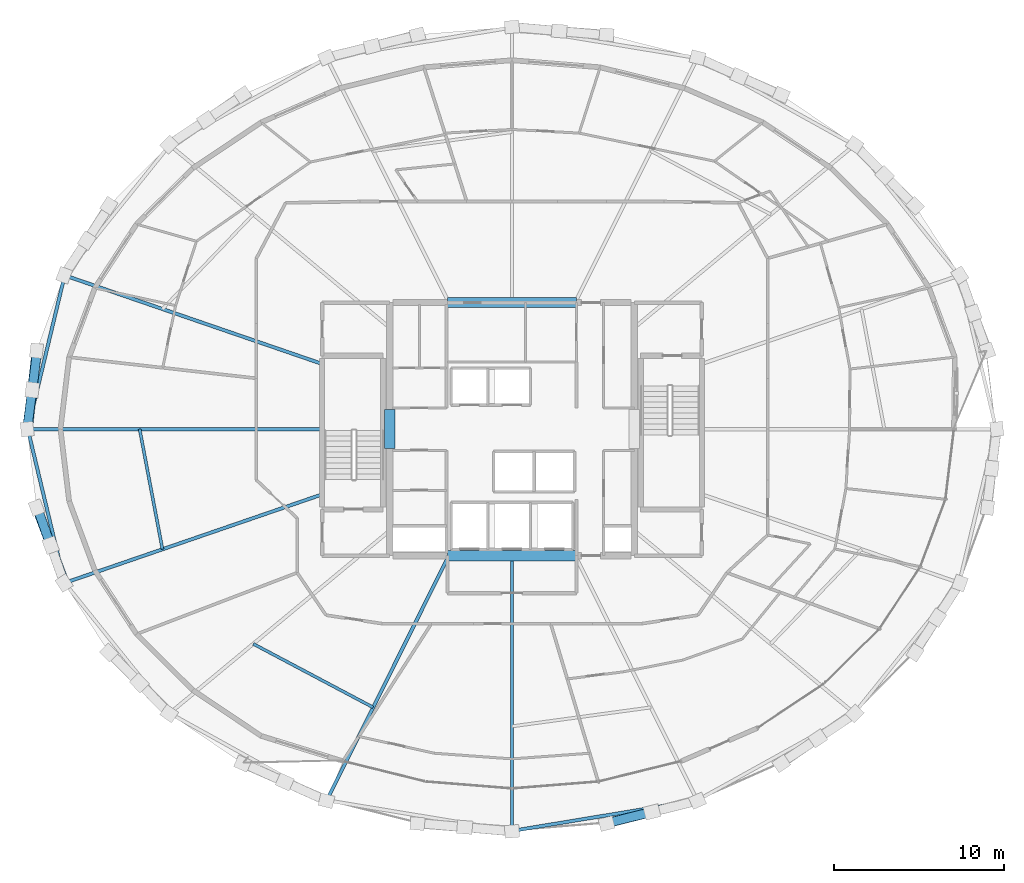
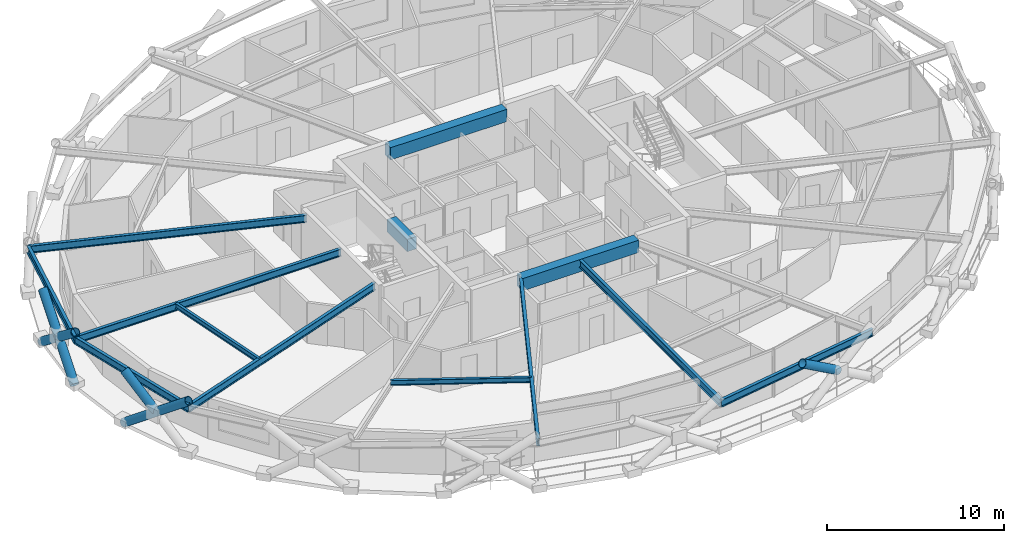
# One storey, part 3 of 20: 13 beams, 6 members.
"""IFC4 building model written with IfcOpenShell, lengths in metres."""

from ifc_helpers import new_model, si_unit, direction, frame, origin, origin_2d, place, context, subcontext, project, spatial, rectangle, hollow_circle, i_section, extrude, material, material_profile, profile_set, type_object, element, save


model = new_model("IFC4")

# Units and contexts
model_context = context("Model", 3, precision=1e-05, world=origin(), true_north=direction((0.0, 1.0)))
body_context = subcontext(model_context, "Body", "Model", "MODEL_VIEW")
ifc_project = project(units=[si_unit("LENGTHUNIT", "METRE"), si_unit("AREAUNIT", "SQUARE_METRE"), si_unit("VOLUMEUNIT", "CUBIC_METRE"), si_unit("PLANEANGLEUNIT", "RADIAN"), si_unit("MASSUNIT", "GRAM", prefix="KILO")], contexts=[model_context])

# Site, building, storey
site_placement = place(None, origin())
site = spatial("IfcSite", under=ifc_project, at=site_placement, CompositionType="ELEMENT")
building_placement = place(site_placement, origin())
building = spatial("IfcBuilding", under=site, at=building_placement, Name="Veldorina Hangang Commons", CompositionType="ELEMENT")
storey_placement = place(building_placement, frame((0.0, 0.0, 131.60009765625)))
storey = spatial("IfcBuildingStorey", under=building, at=storey_placement, Name="L33", CompositionType="ELEMENT", Elevation=131.60009765625)

# Beams
ifc_material_1 = material(Name="Concrete C60/75", Category="concrete")
ifc_material_profile_1 = material_profile(ifc_material_1, rectangle(XDim=0.60009765625, YDim=0.85009765625, at=origin_2d()), Name="RC-CB-600x850")
ifc_profile_set_1 = profile_set([ifc_material_profile_1], Name="Concrete C60/75")
beam_type_1 = type_object("IfcBeamType", Name="BM-CB850", PredefinedType="LINTEL", material=ifc_profile_set_1)
beam_1_placement = place(storey_placement, frame((24.800048828125, 22.85009765625, 2.9248046875), z_axis=(0.0, 1.0, 0.0), x_axis=(-1.0, 0.0, 0.0)))
element("IfcBeam", 1, at=beam_1_placement, inside=storey, type_object=beam_type_1, Name="L33 W core coupling lintel beam", PredefinedType="LINTEL", context=body_context, shape_type="SweptSolid", body=[
    extrude(rectangle(XDim=0.60009765625, YDim=0.85009765625, at=origin_2d()), origin(), (0.0, 0.0, 1.0), 2.2998046875),
])
for number, where, z_axis, x_axis, name in (
    (2, (28.199951171875, 16.550048828125, 2.9248046875), (1.0, 0.0, 0.0), (0.0, 1.0, 0.0), "L33 south core coupling beam"),
    (3, (28.199951171875, 31.449951171875, 2.9248046875), (1.0, 0.0, 0.0), (0.0, 1.0, 0.0), "L33 north core coupling beam"),
):
    element("IfcBeam", number, at=place(storey_placement, frame(where, z_axis=z_axis, x_axis=x_axis)), inside=storey, type_object=beam_type_1, Name=name, PredefinedType="LINTEL", context=body_context, shape_type="SweptSolid", body=[
        extrude(rectangle(XDim=0.60009765625, YDim=0.85009765625, at=origin_2d()), origin(), (0.0, 0.0, 1.0), 7.60009765625),
    ])
ifc_material_2 = material(Name="Steel SM420-TMC", Category="steel")
ifc_material_profile_2 = material_profile(ifc_material_2, i_section(OverallWidth=0.199951171875, OverallDepth=0.5, WebThickness=0.010009765625, FlangeThickness=0.01611328125, FilletRadius=0.01611328125, at=origin_2d()), Name="H-500x200x10x16")
ifc_profile_set_2 = profile_set([ifc_material_profile_2], Name="Steel SM420-TMC")
beam_type_2 = type_object("IfcBeamType", Name="BM-FG500", PredefinedType="BEAM", material=ifc_profile_set_2)
beam_2_placement = place(storey_placement, frame((20.820068359375, 27.8427734375, 3.099853515625), z_axis=(-0.945697720509, 0.325047414116, 0.0), x_axis=(-0.325047414116, -0.945697720509, 0.0)))
element("IfcBeam", 4, at=beam_2_placement, inside=storey, type_object=beam_type_2, Name="L33 radial floor girder 08", PredefinedType="BEAM", context=body_context, shape_type="SweptSolid", body=[
    extrude(i_section(OverallWidth=0.199951171875, OverallDepth=0.5, WebThickness=0.010009765625, FlangeThickness=0.01611328125, FilletRadius=0.01611328125, at=origin_2d()), origin(), (0.0, 0.0, 1.0), 16.027587890625),
])
beam_3_placement = place(storey_placement, frame((20.820068359375, 24.0, 3.099853515625), z_axis=(-1.0, 0.0, 0.0), x_axis=(0.0, -1.0, 0.0)))
element("IfcBeam", 5, at=beam_3_placement, inside=storey, type_object=beam_type_2, Name="L33 radial floor girder 09", PredefinedType="BEAM", context=body_context, shape_type="SweptSolid", body=[
    extrude(i_section(OverallWidth=0.199951171875, OverallDepth=0.5, WebThickness=0.010009765625, FlangeThickness=0.01611328125, FilletRadius=0.01611328125, at=origin_2d()), origin(), (0.0, 0.0, 1.0), 17.3271484375),
])
beam_4_placement = place(storey_placement, frame((20.820068359375, 20.1572265625, 3.099853515625), z_axis=(-0.945697720509, -0.325047414116, 0.0), x_axis=(0.325047414116, -0.945697720509, 0.0)))
element("IfcBeam", 6, at=beam_4_placement, inside=storey, type_object=beam_type_2, Name="L33 radial floor girder 10", PredefinedType="BEAM", context=body_context, shape_type="SweptSolid", body=[
    extrude(i_section(OverallWidth=0.199951171875, OverallDepth=0.5, WebThickness=0.010009765625, FlangeThickness=0.01611328125, FilletRadius=0.01611328125, at=origin_2d()), origin(), (0.0, 0.0, 1.0), 16.027587890625),
])
beam_5_placement = place(storey_placement, frame((28.281005859375, 16.550048828125, 3.099853515625), z_axis=(-0.446612976084, -0.894727248715, 0.0), x_axis=(0.894727248715, -0.446612976084, 0.0)))
element("IfcBeam", 7, at=beam_5_placement, inside=storey, type_object=beam_type_2, Name="L33 radial floor girder 12", PredefinedType="BEAM", context=body_context, shape_type="SweptSolid", body=[
    extrude(i_section(OverallWidth=0.199951171875, OverallDepth=0.5, WebThickness=0.010009765625, FlangeThickness=0.01611328125, FilletRadius=0.01611328125, at=origin_2d()), origin(), (0.0, 0.0, 1.0), 16.099365234375),
])
beam_6_placement = place(storey_placement, frame((32.0, 16.550048828125, 3.099853515625), z_axis=(0.0, -1.0, 0.0), x_axis=(1.0, 0.0, 0.0)))
element("IfcBeam", 8, at=beam_6_placement, inside=storey, type_object=beam_type_2, Name="L33 radial floor girder 13", PredefinedType="BEAM", context=body_context, shape_type="SweptSolid", body=[
    extrude(i_section(OverallWidth=0.199951171875, OverallDepth=0.5, WebThickness=0.010009765625, FlangeThickness=0.01611328125, FilletRadius=0.01611328125, at=origin_2d()), origin(), (0.0, 0.0, 1.0), 16.205078125),
])
ifc_material_3 = material(Name="Steel SM355-TMC", Category="steel")
ifc_material_profile_3 = material_profile(ifc_material_3, i_section(OverallWidth=0.175048828125, OverallDepth=0.35009765625, WebThickness=0.007080078125, FlangeThickness=0.010986328125, FilletRadius=0.012939453125, at=origin_2d()), Name="H-350x175x7x11")
ifc_profile_set_3 = profile_set([ifc_material_profile_3], Name="Steel SM355-TMC")
beam_type_3 = type_object("IfcBeamType", Name="BM-JST350", PredefinedType="JOIST", material=ifc_profile_set_3)
beam_7_placement = place(storey_placement, frame((10.0771484375, 24.0, 3.1748046875), z_axis=(0.186879924377, -0.98238276342, 0.0), x_axis=(0.98238276342, 0.186879924377, 0.0)))
element("IfcBeam", 9, at=beam_7_placement, inside=storey, type_object=beam_type_3, Name="L33 secondary floor joist 09", PredefinedType="JOIST", context=body_context, shape_type="SweptSolid", body=[
    extrude(i_section(OverallWidth=0.175048828125, OverallDepth=0.35009765625, WebThickness=0.007080078125, FlangeThickness=0.010986328125, FilletRadius=0.012939453125, at=origin_2d()), origin(), (0.0, 0.0, 1.0), 7.19970703125),
])
beam_8_placement = place(storey_placement, frame((16.76611328125, 11.359130859375, 3.1748046875), z_axis=(0.883593769179, -0.468254258996, 0.0), x_axis=(0.468254258996, 0.883593769179, 0.0)))
element("IfcBeam", 10, at=beam_8_placement, inside=storey, type_object=beam_type_3, Name="L33 secondary floor joist 11", PredefinedType="JOIST", context=body_context, shape_type="SweptSolid", body=[
    extrude(i_section(OverallWidth=0.175048828125, OverallDepth=0.35009765625, WebThickness=0.007080078125, FlangeThickness=0.010986328125, FilletRadius=0.012939453125, at=origin_2d()), origin(), (0.0, 0.0, 1.0), 7.986572265625),
])
ifc_material_profile_4 = material_profile(ifc_material_2, i_section(OverallWidth=0.199951171875, OverallDepth=0.5, WebThickness=0.010009765625, FlangeThickness=0.01611328125, FilletRadius=0.01611328125, at=origin_2d()), Name="H-500x200x10x16")
ifc_profile_set_4 = profile_set([ifc_material_profile_4], Name="Steel SM420-TMC")
beam_type_4 = type_object("IfcBeamType", Name="BM-RB500", PredefinedType="BEAM", material=ifc_profile_set_4)
for number, where, z_axis, x_axis, name in (
    (11, (5.662841796875, 33.052490234375, 3.099853515625), (-0.23310115585, -0.972452493, 0.0), (0.972452493, -0.23310115585, 0.0), "L33 perimeter hoop ring beam 14"),
    (12, (3.492919921875, 24.0, 3.099853515625), (0.23310115585, -0.972452493, 0.0), (0.972452493, 0.23310115585, 0.0), "L33 perimeter hoop ring beam 16"),
):
    element("IfcBeam", number, at=place(storey_placement, frame(where, z_axis=z_axis, x_axis=x_axis)), inside=storey, type_object=beam_type_4, Name=name, PredefinedType="BEAM", context=body_context, shape_type="SweptSolid", body=[
        extrude(i_section(OverallWidth=0.199951171875, OverallDepth=0.5, WebThickness=0.010009765625, FlangeThickness=0.01611328125, FilletRadius=0.01611328125, at=origin_2d()), origin(), (0.0, 0.0, 1.0), 9.308837890625),
    ])
beam_9_placement = place(storey_placement, frame((32.0, 0.344970703125, 3.099853515625), z_axis=(0.986651699757, 0.162844783048, 0.0), x_axis=(-0.162844783048, 0.986651699757, 0.0)))
element("IfcBeam", 13, at=beam_9_placement, inside=storey, type_object=beam_type_4, Name="L33 perimeter hoop ring beam 24", PredefinedType="BEAM", context=body_context, shape_type="SweptSolid", body=[
    extrude(i_section(OverallWidth=0.199951171875, OverallDepth=0.5, WebThickness=0.010009765625, FlangeThickness=0.01611328125, FilletRadius=0.01611328125, at=origin_2d()), origin(), (0.0, 0.0, 1.0), 11.056884765625),
])

# Members
ifc_material_profile_5 = material_profile(ifc_material_2, hollow_circle(Radius=0.27490234375, WallThickness=0.028076171875, at=origin_2d()), Name="CHS-550x28")
ifc_profile_set_5 = profile_set([ifc_material_profile_5], Name="Steel SM420-TMC")
member_type = type_object("IfcMemberType", Name="DG-CHS550", PredefinedType="BRACE", material=ifc_profile_set_5)
member_1_placement = place(storey_placement, frame((4.0048828125, 28.619873046875, 0.0), z_axis=(-0.086092057442, -0.785875544126, 0.61236246357), x_axis=(0.99405295833, -0.108897731999, 0.0)))
element("IfcMember", 14, at=member_1_placement, inside=storey, type_object=member_type, Name="L33 continuous perimeter diagrid brace 15", PredefinedType="BRACE", context=body_context, shape_type="SweptSolid", body=[
    extrude(hollow_circle(Radius=0.27490234375, WallThickness=0.028076171875, at=origin_2d()), origin(), (0.0, 0.0, 1.0), 5.878662109375),
])
member_2_placement = place(storey_placement, frame((3.456298828125, 24.0, 0.0), z_axis=(0.10038118462, 0.784466513857, 0.611993387555), x_axis=(-0.991912169045, 0.126926155303, 0.0)))
element("IfcMember", 15, at=member_2_placement, inside=storey, type_object=member_type, Name="L33 split perimeter diagrid lower brace 16", PredefinedType="BRACE", context=body_context, shape_type="SweptSolid", body=[
    extrude(hollow_circle(Radius=0.27490234375, WallThickness=0.028076171875, at=origin_2d()), origin(), (0.0, 0.0, 1.0), 2.94287109375),
])
member_3_placement = place(storey_placement, frame((3.751708984375, 26.30859375, 1.801025390625), z_axis=(0.100265451955, 0.784429712354, 0.612059527759), x_axis=(-0.991929834703, 0.126788023985, 0.0)))
element("IfcMember", 16, at=member_3_placement, inside=storey, type_object=member_type, Name="L33 split perimeter diagrid upper brace 16", PredefinedType="BRACE", context=body_context, shape_type="SweptSolid", body=[
    extrude(hollow_circle(Radius=0.27490234375, WallThickness=0.028076171875, at=origin_2d()), origin(), (0.0, 0.0, 1.0), 2.93896484375),
])
member_4_placement = place(storey_placement, frame((4.0048828125, 19.380126953125, 0.0), z_axis=(0.279724919403, -0.745153025429, 0.605393209541), x_axis=(0.936208287045, 0.351445647674, 0.0)))
element("IfcMember", 17, at=member_4_placement, inside=storey, type_object=member_type, Name="L33 continuous perimeter diagrid brace 17", PredefinedType="BRACE", context=body_context, shape_type="SweptSolid", body=[
    extrude(hollow_circle(Radius=0.27490234375, WallThickness=0.028076171875, at=origin_2d()), origin(), (0.0, 0.0, 1.0), 5.9462890625),
])
member_5_placement = place(storey_placement, frame((4.8369140625, 17.1630859375, 1.801025390625), z_axis=(-0.266456401721, 0.74925433529, 0.606315864077), x_axis=(-0.942192912403, -0.335070911627, 0.0)))
element("IfcMember", 18, at=member_5_placement, inside=storey, type_object=member_type, Name="L33 split perimeter diagrid upper brace 18", PredefinedType="BRACE", context=body_context, shape_type="SweptSolid", body=[
    extrude(hollow_circle(Radius=0.27490234375, WallThickness=0.028076171875, at=origin_2d()), origin(), (0.0, 0.0, 1.0), 2.966796875),
])
member_6_placement = place(storey_placement, frame((40.23974609375, 1.46240234375, 1.80126953125), z_axis=(-0.813503435998, -0.200058840434, 0.546066497767), x_axis=(0.23880727018, -0.971066984152, 0.0)))
element("IfcMember", 19, at=member_6_placement, inside=storey, type_object=member_type, Name="L33 split perimeter diagrid upper brace 26", PredefinedType="BRACE", context=body_context, shape_type="SweptSolid", body=[
    extrude(hollow_circle(Radius=0.27490234375, WallThickness=0.028076171875, at=origin_2d()), origin(), (0.0, 0.0, 1.0), 3.293701171875),
])

save(model, "model.ifc")
